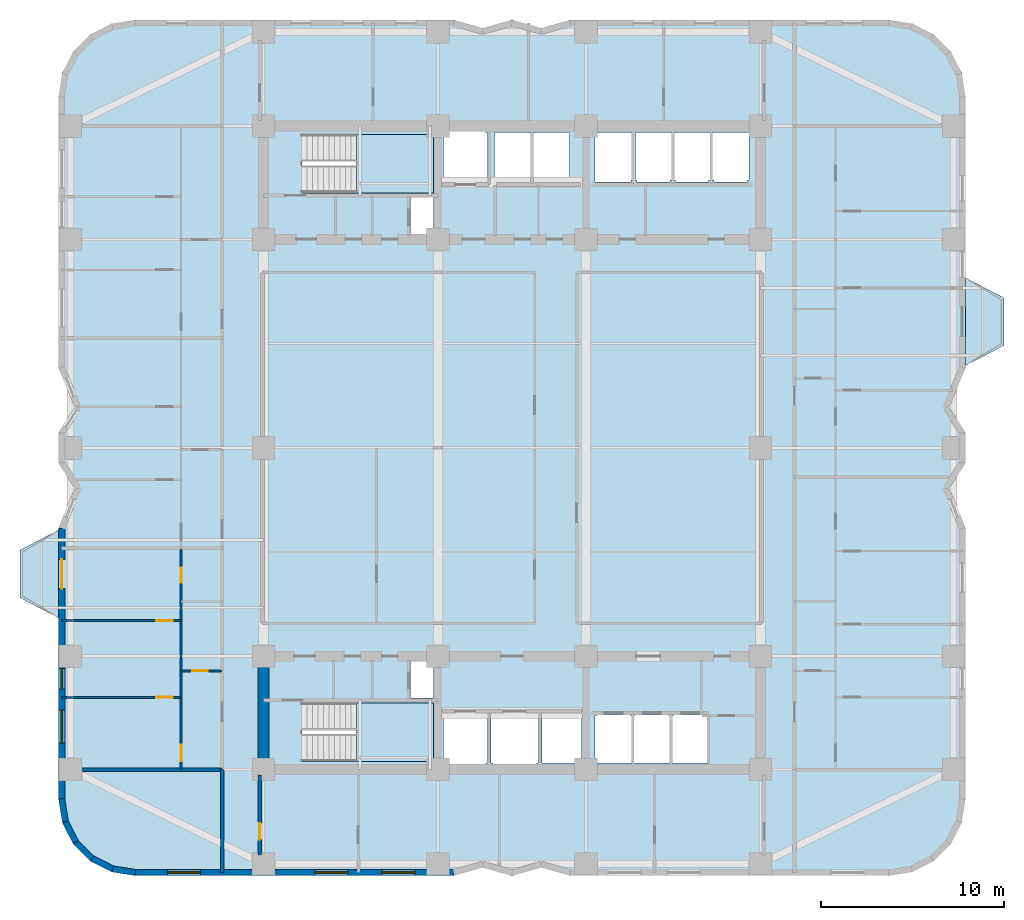
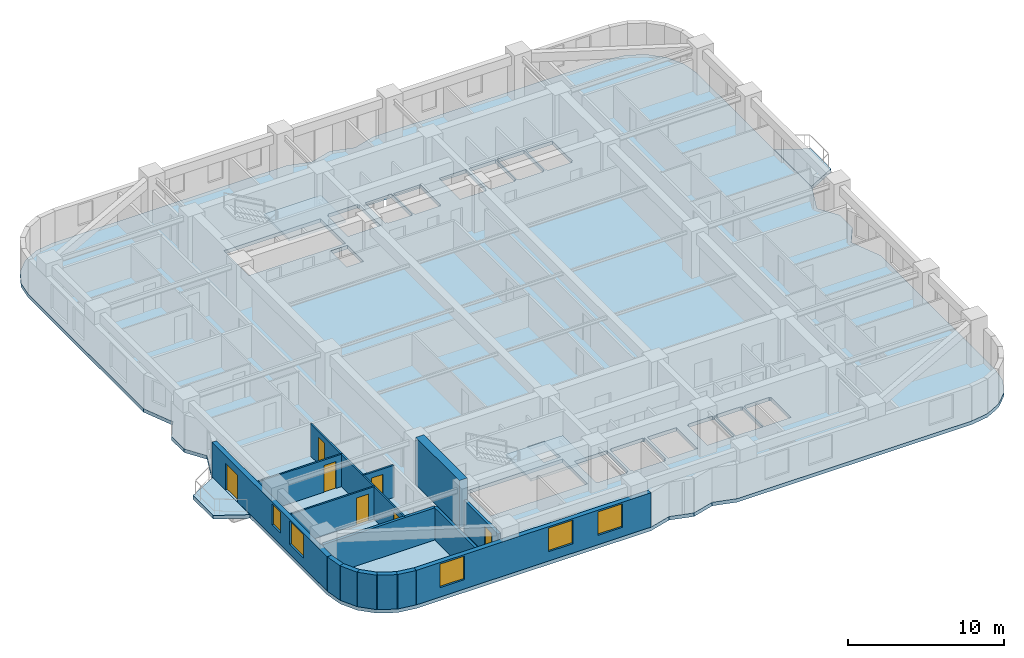
# One storey, part 2 of 10: 15 walls, 7 doors, 5 slabs, 5 windows, 12 openings, 2 elements without a shape of their own.
"""IFC4 building model written with IfcOpenShell, lengths in metres."""

from ifc_helpers import new_model, si_unit, direction, frame, frame_2d, origin, place, context, subcontext, project, spatial, polyline, rectangle, outline, extrude, material, layer, layer_set, type_object, element, fill, aggregate, save


model = new_model("IFC4")

# Units and contexts
model_context = context("Model", 3, precision=1e-05, world=origin(), true_north=direction((0.0, 1.0)))
body_context = subcontext(model_context, "Body", "Model", "MODEL_VIEW")
ifc_project = project(units=[si_unit("LENGTHUNIT", "METRE"), si_unit("AREAUNIT", "SQUARE_METRE"), si_unit("VOLUMEUNIT", "CUBIC_METRE"), si_unit("PLANEANGLEUNIT", "RADIAN"), si_unit("MASSUNIT", "GRAM", prefix="KILO")], contexts=[model_context])

# Site, building, storey
site_placement = place(None, origin())
site = spatial("IfcSite", under=ifc_project, at=site_placement, CompositionType="ELEMENT")
building_placement = place(site_placement, origin())
building = spatial("IfcBuilding", under=site, at=building_placement, Name="Svetorya Sky Lyceum", CompositionType="ELEMENT")
storey_placement = place(building_placement, frame((0.0, 0.0, 43.60009765625)))
storey = spatial("IfcBuildingStorey", under=building, at=storey_placement, Name="L10", CompositionType="ELEMENT", Elevation=43.60009765625)

# Slabs
ifc_material_1 = material(Name="Concrete C40/50", Category="concrete")
ifc_layer_1 = layer(ifc_material_1, 0.280029296875)
ifc_layer_set_1 = layer_set([ifc_layer_1], Name="Concrete C40/50")
slab_type_1 = type_object("IfcSlabType", Name="SL-BAL-280", PredefinedType="FLOOR", material=ifc_layer_set_1)
slab_1_placement = place(storey_placement, frame((0.0, 0.0, -0.280029296875)))
element("IfcSlab", 1, at=slab_1_placement, inside=storey, type_object=slab_type_1, Name="L10 Chamfered Loggia Balcony BAL-W1", PredefinedType="FLOOR", context=body_context, shape_type="SweptSolid", body=[
    extrude(outline(polyline([(14.389892578125, 18.89990234375), (14.389892578125, 23.699951171875), (12.2900390625, 22.60009765625), (12.2900390625, 20.0), (14.389892578125, 18.89990234375)])), origin(), (0.0, 0.0, 1.0), 0.280029296875),
])
slab_2_placement = place(storey_placement, frame((0.0, 0.0, -0.280029296875)))
element("IfcSlab", 2, at=slab_2_placement, inside=storey, type_object=slab_type_1, Name="L10 Chamfered Loggia Balcony BAL-E1", PredefinedType="FLOOR", context=body_context, shape_type="SweptSolid", body=[
    extrude(outline(polyline([(64.010009765625, 32.699951171875), (66.110107421875, 33.800048828125), (66.110107421875, 36.39990234375), (64.010009765625, 37.5), (64.010009765625, 32.699951171875)])), origin(), (0.0, 0.0, 1.0), 0.280029296875),
])

# Stair, slab
stair_type_1 = type_object("IfcStairType", Name="STR-ST-S", PredefinedType="HALF_TURN_STAIR", material=ifc_material_1)
stair_1_placement = place(storey_placement, origin())
stair_1 = element("IfcStair", 3, at=stair_1_placement, inside=storey, type_object=stair_type_1, Name="L10 South Core Smoke-Free Exit Stair N2", PredefinedType="HALF_TURN_STAIR")
ifc_layer_2 = layer(ifc_material_1, 0.199951171875)
ifc_layer_set_2 = layer_set([ifc_layer_2], Name="Concrete C40/50")
slab_type_2 = type_object("IfcSlabType", Name="SL-STR-LAND-200", PredefinedType="LANDING", material=ifc_layer_set_2)
slab_3_placement = place(storey_placement, frame((0.0, 0.0, 1.64990234375)))
slab_3 = element("IfcSlab", 4, at=slab_3_placement, type_object=slab_type_2, Name="ST-S landing 1", PredefinedType="LANDING", context=body_context, shape_type="SweptSolid", body=[
    extrude(outline(polyline([(30.699951171875, 11.050048828125), (34.89990234375, 11.050048828125), (34.89990234375, 14.25), (30.699951171875, 14.25), (30.699951171875, 11.050048828125)])), origin(), (0.0, 0.0, 1.0), 0.199951171875),
])
aggregate(stair_1, [slab_3])

stair_type_2 = type_object("IfcStairType", Name="STR-ST-N", PredefinedType="HALF_TURN_STAIR", material=ifc_material_1)
stair_2_placement = place(storey_placement, origin())
stair_2 = element("IfcStair", 5, at=stair_2_placement, inside=storey, type_object=stair_type_2, Name="L10 North Core Smoke-Free Exit Stair N3", PredefinedType="HALF_TURN_STAIR")
slab_4_placement = place(storey_placement, frame((0.0, 0.0, 1.64990234375)))
slab_4 = element("IfcSlab", 6, at=slab_4_placement, type_object=slab_type_2, Name="ST-N landing 1", PredefinedType="LANDING", context=body_context, shape_type="SweptSolid", body=[
    extrude(outline(polyline([(30.699951171875, 42.14990234375), (34.89990234375, 42.14990234375), (34.89990234375, 45.35009765625), (30.699951171875, 45.35009765625), (30.699951171875, 42.14990234375)])), origin(), (0.0, 0.0, 1.0), 0.199951171875),
])
aggregate(stair_2, [slab_4])

# Slab
ifc_material_2 = material(Name="Concrete C50/60", Category="concrete")
ifc_layer_3 = layer(ifc_material_2, 0.280029296875)
ifc_layer_set_3 = layer_set([ifc_layer_3], Name="Concrete C50/60")
slab_type_3 = type_object("IfcSlabType", Name="SL-TWR-280", PredefinedType="FLOOR", material=ifc_layer_set_3)
slab_5_placement = place(storey_placement, frame((0.0, 0.0, -0.280029296875)))
element("IfcSlab", 7, at=slab_5_placement, inside=storey, type_object=slab_type_3, Name="L10 Structural Floor Slab", PredefinedType="FLOOR", context=body_context, shape_type="SweptSolid", body=[
    extrude(outline(polyline([(14.39990234375, 9.0), (14.605712890625, 7.7021484375), (15.2021484375, 6.53125), (16.13134765625, 5.60205078125), (17.302001953125, 5.005615234375), (18.60009765625, 4.800048828125), (36.0, 4.800048828125), (37.60009765625, 5.25), (39.199951171875, 4.800048828125), (40.800048828125, 5.25), (42.39990234375, 4.800048828125), (59.800048828125, 4.800048828125), (61.097900390625, 5.005615234375), (62.268798828125, 5.60205078125), (63.197998046875, 6.53125), (63.79443359375, 7.7021484375), (64.0, 9.0), (64.0, 23.800048828125), (63.10009765625, 26.0), (64.0, 27.39990234375), (64.0, 29.0), (63.10009765625, 30.39990234375), (64.0, 32.60009765625), (64.0, 47.39990234375), (63.79443359375, 48.697998046875), (63.197998046875, 49.86865234375), (62.268798828125, 50.7978515625), (61.097900390625, 51.394287109375), (59.800048828125, 51.60009765625), (42.39990234375, 51.60009765625), (40.800048828125, 51.14990234375), (39.199951171875, 51.60009765625), (37.60009765625, 51.14990234375), (36.0, 51.60009765625), (18.60009765625, 51.60009765625), (17.302001953125, 51.394287109375), (16.13134765625, 50.7978515625), (15.2021484375, 49.86865234375), (14.605712890625, 48.697998046875), (14.39990234375, 47.39990234375), (14.39990234375, 32.60009765625), (15.300048828125, 30.39990234375), (14.39990234375, 29.0), (14.39990234375, 27.39990234375), (15.300048828125, 26.0), (14.39990234375, 23.800048828125), (14.39990234375, 9.0)]), holes=[polyline([(35.550048828125, 13.64990234375), (37.75, 13.64990234375), (37.85009765625, 13.64990234375), (37.85009765625, 10.949951171875), (37.75, 10.949951171875), (37.75, 10.85009765625), (35.550048828125, 10.85009765625), (35.550048828125, 10.949951171875), (35.449951171875, 10.949951171875), (35.449951171875, 13.64990234375), (35.550048828125, 13.64990234375)]), polyline([(40.64990234375, 10.949951171875), (40.550048828125, 10.949951171875), (40.550048828125, 10.800048828125), (38.14990234375, 10.800048828125), (38.14990234375, 10.949951171875), (38.050048828125, 10.949951171875), (38.050048828125, 13.64990234375), (38.14990234375, 13.64990234375), (38.14990234375, 13.699951171875), (40.550048828125, 13.699951171875), (40.550048828125, 13.64990234375), (40.64990234375, 13.64990234375), (40.64990234375, 10.949951171875)]), polyline([(40.85009765625, 13.64990234375), (43.0, 13.64990234375), (43.0, 10.949951171875), (40.85009765625, 10.949951171875), (40.85009765625, 13.64990234375)]), polyline([(27.719970703125, 14.25), (34.89990234375, 14.25), (34.89990234375, 11.050048828125), (27.719970703125, 11.050048828125), (27.719970703125, 14.25)]), polyline([(33.64990234375, 16.580078125), (34.89990234375, 16.580078125), (34.89990234375, 14.52001953125), (33.64990234375, 14.52001953125), (33.64990234375, 16.580078125)]), polyline([(33.64990234375, 39.820068359375), (33.64990234375, 41.89990234375), (34.89990234375, 41.89990234375), (34.89990234375, 39.820068359375), (33.64990234375, 39.820068359375)]), polyline([(27.719970703125, 45.35009765625), (34.89990234375, 45.35009765625), (34.89990234375, 42.14990234375), (27.719970703125, 42.14990234375), (27.719970703125, 45.35009765625)]), polyline([(35.550048828125, 42.75), (35.449951171875, 42.75), (35.449951171875, 45.449951171875), (35.550048828125, 45.449951171875), (35.550048828125, 45.550048828125), (37.75, 45.550048828125), (37.75, 45.449951171875), (37.85009765625, 45.449951171875), (37.85009765625, 42.75), (37.75, 42.75), (35.550048828125, 42.75)]), polyline([(40.199951171875, 42.85009765625), (40.199951171875, 42.75), (38.39990234375, 42.75), (38.39990234375, 42.85009765625), (38.25, 42.85009765625), (38.25, 45.449951171875), (38.39990234375, 45.449951171875), (40.199951171875, 45.449951171875), (40.25, 45.449951171875), (40.25, 42.85009765625), (40.199951171875, 42.85009765625)]), polyline([(40.39990234375, 42.85009765625), (40.35009765625, 42.85009765625), (40.35009765625, 45.449951171875), (40.39990234375, 45.449951171875), (42.300048828125, 45.449951171875), (42.35009765625, 45.449951171875), (42.35009765625, 42.85009765625), (42.300048828125, 42.85009765625), (42.300048828125, 42.75), (40.39990234375, 42.75), (40.39990234375, 42.85009765625)]), polyline([(43.85009765625, 10.949951171875), (43.75, 10.949951171875), (43.75, 13.550048828125), (43.85009765625, 13.550048828125), (43.85009765625, 13.60009765625), (45.64990234375, 13.60009765625), (45.64990234375, 13.550048828125), (45.75, 13.550048828125), (45.75, 10.949951171875), (45.64990234375, 10.949951171875), (43.85009765625, 10.949951171875)]), polyline([(45.949951171875, 10.949951171875), (45.85009765625, 10.949951171875), (45.85009765625, 13.550048828125), (45.949951171875, 13.550048828125), (45.949951171875, 13.60009765625), (47.75, 13.60009765625), (47.75, 13.550048828125), (47.85009765625, 13.550048828125), (47.85009765625, 10.949951171875), (47.75, 10.949951171875), (45.949951171875, 10.949951171875)]), polyline([(49.85009765625, 13.550048828125), (49.949951171875, 13.550048828125), (49.949951171875, 10.949951171875), (49.85009765625, 10.949951171875), (48.050048828125, 10.949951171875), (47.949951171875, 10.949951171875), (47.949951171875, 13.550048828125), (48.050048828125, 13.550048828125), (48.050048828125, 13.60009765625), (49.85009765625, 13.60009765625), (49.85009765625, 13.550048828125)]), polyline([(43.75, 42.85009765625), (43.75, 45.449951171875), (45.699951171875, 45.449951171875), (45.75, 45.449951171875), (45.75, 42.85009765625), (45.699951171875, 42.85009765625), (45.699951171875, 42.75), (43.75, 42.75), (43.75, 42.85009765625)]), polyline([(46.050048828125, 42.85009765625), (45.949951171875, 42.85009765625), (45.949951171875, 45.449951171875), (46.050048828125, 45.449951171875), (47.85009765625, 45.449951171875), (47.949951171875, 45.449951171875), (47.949951171875, 42.85009765625), (47.85009765625, 42.85009765625), (47.85009765625, 42.75), (46.050048828125, 42.75), (46.050048828125, 42.85009765625)]), polyline([(48.14990234375, 42.85009765625), (48.050048828125, 42.85009765625), (48.050048828125, 45.449951171875), (48.14990234375, 45.449951171875), (49.949951171875, 45.449951171875), (50.050048828125, 45.449951171875), (50.050048828125, 42.85009765625), (49.949951171875, 42.85009765625), (49.949951171875, 42.75), (48.14990234375, 42.75), (48.14990234375, 42.85009765625)]), polyline([(50.25, 42.85009765625), (50.14990234375, 42.85009765625), (50.14990234375, 45.449951171875), (50.25, 45.449951171875), (52.050048828125, 45.449951171875), (52.14990234375, 45.449951171875), (52.14990234375, 42.85009765625), (52.050048828125, 42.85009765625), (52.050048828125, 42.75), (50.25, 42.75), (50.25, 42.85009765625)])]), origin(), (0.0, 0.0, 1.0), 0.280029296875),
])

# Walls
ifc_material_3 = material(Name="Concrete C60/75", Category="concrete")
ifc_layer_4 = layer(ifc_material_3, 0.60009765625)
ifc_layer_set_4 = layer_set([ifc_layer_4], Name="Concrete C60/75")
wall_type_1 = type_object("IfcWallType", Name="WL-CORE-600", PredefinedType="SHEAR", material=ifc_layer_set_4)
wall_1_placement = place(storey_placement, frame((25.60009765625, 10.89990234375, 0.0), z_axis=(0.0, 0.0, 1.0), x_axis=(0.0, 1.0, 0.0)))
element("IfcWall", 8, at=wall_1_placement, inside=storey, type_object=wall_type_1, Name="L10 SC West Core Shear Wall", PredefinedType="SHEAR", context=body_context, shape_type="SweptSolid", body=[
    extrude(rectangle(XDim=5.60009765625, YDim=0.60009765625, at=frame_2d((2.800048828125, 0.0))), origin(), (0.0, 0.0, 1.0), 3.699951171875),
])
ifc_material_4 = material(Name="Putilovo limestone rainscreen on autoclaved cellular masonry", Category="masonry")
ifc_layer_5 = layer(ifc_material_4, 0.340087890625)
ifc_layer_set_5 = layer_set([ifc_layer_5], Name="Putilovo limestone rainscreen on autoclaved cellular masonry")
wall_type_2 = type_object("IfcWallType", Name="WL-EXT-340", PredefinedType="SOLIDWALL", material=ifc_layer_set_5)
wall_2_placement = place(storey_placement, frame((14.570068359375, 9.0, 0.0), z_axis=(0.0, 0.0, 1.0), x_axis=(0.156260864002, -0.98771582066, 0.0)))
element("IfcWall", 9, at=wall_2_placement, inside=storey, type_object=wall_type_2, Name="L10 Limestone Exterior Wall 1M", PredefinedType="SOLIDWALL", context=body_context, shape_type="SweptSolid", body=[
    extrude(rectangle(XDim=1.2607421875, YDim=0.340087890625, at=frame_2d((0.63037109375, 0.0))), origin(), (0.0, 0.0, 1.0), 2.699951171875),
])
wall_3_placement = place(storey_placement, frame((14.76708984375, 7.754638671875, 0.0), z_axis=(0.0, 0.0, 1.0), x_axis=(0.454015689056, -0.890993689142, 0.0)))
element("IfcWall", 10, at=wall_3_placement, inside=storey, type_object=wall_type_2, Name="L10 Limestone Exterior Wall 2M", PredefinedType="SOLIDWALL", context=body_context, shape_type="SweptSolid", body=[
    extrude(rectangle(XDim=1.260986328125, YDim=0.340087890625, at=frame_2d((0.63037109375, 0.0))), origin(), (0.0, 0.0, 1.0), 2.699951171875),
])
wall_4_placement = place(storey_placement, frame((15.339599609375, 6.631103515625, 0.0), z_axis=(0.0, 0.0, 1.0), x_axis=(0.707203598708, -0.707009950407, 0.0)))
element("IfcWall", 11, at=wall_4_placement, inside=storey, type_object=wall_type_2, Name="L10 Limestone Exterior Wall 3M", PredefinedType="SOLIDWALL", context=body_context, shape_type="SweptSolid", body=[
    extrude(rectangle(XDim=1.2607421875, YDim=0.340087890625, at=frame_2d((0.63037109375, 0.0))), origin(), (0.0, 0.0, 1.0), 2.699951171875),
])
for number, where, z_axis, x_axis, name in (
    (12, (16.231201171875, 5.73974609375, 0.0), (0.0, 0.0, 1.0), (0.890993689142, -0.454015689056, 0.0), "L10 Limestone Exterior Wall 4M"),
    (13, (17.354736328125, 5.167236328125, 0.0), (0.0, 0.0, 1.0), (0.987685918112, -0.15644975923, 0.0), "L10 Limestone Exterior Wall 5M"),
):
    element("IfcWall", number, at=place(storey_placement, frame(where, z_axis=z_axis, x_axis=x_axis)), inside=storey, type_object=wall_type_2, Name=name, PredefinedType="SOLIDWALL", context=body_context, shape_type="SweptSolid", body=[
        extrude(rectangle(XDim=1.260986328125, YDim=0.340087890625, at=frame_2d((0.63037109375, 0.0))), origin(), (0.0, 0.0, 1.0), 2.699951171875),
    ])

# Wall, openings, windows
wall_5_placement = place(storey_placement, frame((18.60009765625, 4.969970703125, 0.0), z_axis=(0.0, 0.0, 1.0), x_axis=(1.0, 0.0, 0.0)))
wall_5 = element("IfcWall", 14, at=wall_5_placement, inside=storey, type_object=wall_type_2, Name="L10 Limestone Exterior Wall 6M", PredefinedType="SOLIDWALL", context=body_context, shape_type="SweptSolid", body=[
    extrude(rectangle(XDim=17.39990234375, YDim=0.340087890625, at=frame_2d((8.699951171875, 0.0))), origin(), (0.0, 0.0, 1.0), 2.699951171875),
])
opening_1_placement = place(wall_5_placement, frame((1.762451171875, 0.0, 0.72998046875)))
opening_1 = element("IfcOpeningElement", 15, at=opening_1_placement, cuts=wall_5, Name="Opening W-R1", PredefinedType="OPENING", context=body_context, shape_type="SweptSolid", body=[
    extrude(rectangle(XDim=1.800048828125, YDim=1.85009765625, at=frame_2d((0.89990234375, 0.925048828125))), frame((0.0, 0.179931640625, 0.0), z_axis=(0.0, -1.0, 0.0), x_axis=(1.0, 0.0, 0.0)), (0.0, 0.0, 1.0), 0.360107421875),
])
opening_2_placement = place(wall_5_placement, frame((9.8125, 0.0, 0.72998046875)))
opening_2 = element("IfcOpeningElement", 16, at=opening_2_placement, cuts=wall_5, Name="Opening W-R1", PredefinedType="OPENING", context=body_context, shape_type="SweptSolid", body=[
    extrude(rectangle(XDim=1.800048828125, YDim=1.85009765625, at=frame_2d((0.89990234375, 0.925048828125))), frame((0.0, 0.179931640625, 0.0), z_axis=(0.0, -1.0, 0.0), x_axis=(1.0, 0.0, 0.0)), (0.0, 0.0, 1.0), 0.360107421875),
])
opening_3_placement = place(wall_5_placement, frame((13.487548828125, 0.0, 0.72998046875)))
opening_3 = element("IfcOpeningElement", 17, at=opening_3_placement, cuts=wall_5, Name="Opening W-R1", PredefinedType="OPENING", context=body_context, shape_type="SweptSolid", body=[
    extrude(rectangle(XDim=1.800048828125, YDim=1.85009765625, at=frame_2d((0.89990234375, 0.925048828125))), frame((0.0, 0.179931640625, 0.0), z_axis=(0.0, -1.0, 0.0), x_axis=(1.0, 0.0, 0.0)), (0.0, 0.0, 1.0), 0.360107421875),
])
ifc_material_5 = material(Name="Thermally broken aluminium frame with triple low-E glazing", Category="aluminium")
window_type_1 = type_object("IfcWindowType", Name="WN-RES-180", PartitioningType="DOUBLE_PANEL_VERTICAL", PredefinedType="WINDOW", material=ifc_material_5)
window_1_placement = place(opening_1_placement, origin())
window_1 = element("IfcWindow", 18, at=window_1_placement, inside=storey, type_object=window_type_1, Name="L10 Facade Window W-R1.6M.1", OverallHeight=1.85009765625, OverallWidth=1.800048828125, PartitioningType="SINGLE_PANEL", PredefinedType="WINDOW", context=body_context, shape_type="SweptSolid", body=[
    extrude(rectangle(XDim=1.800048828125, YDim=1.85009765625, at=frame_2d((0.89990234375, 0.925048828125))), frame((0.0, 0.030029296875, 0.0), z_axis=(0.0, -1.0, 0.0), x_axis=(1.0, 0.0, 0.0)), (0.0, 0.0, 1.0), 0.06005859375),
])
fill(opening_1, window_1)
window_2_placement = place(opening_2_placement, origin())
window_2 = element("IfcWindow", 19, at=window_2_placement, inside=storey, type_object=window_type_1, Name="L10 Facade Window W-R1.6M.2", OverallHeight=1.85009765625, OverallWidth=1.800048828125, PartitioningType="SINGLE_PANEL", PredefinedType="WINDOW", context=body_context, shape_type="SweptSolid", body=[
    extrude(rectangle(XDim=1.800048828125, YDim=1.85009765625, at=frame_2d((0.89990234375, 0.925048828125))), frame((0.0, 0.030029296875, 0.0), z_axis=(0.0, -1.0, 0.0), x_axis=(1.0, 0.0, 0.0)), (0.0, 0.0, 1.0), 0.06005859375),
])
fill(opening_2, window_2)
window_3_placement = place(opening_3_placement, origin())
window_3 = element("IfcWindow", 20, at=window_3_placement, inside=storey, type_object=window_type_1, Name="L10 Facade Window W-R1.6M.3", OverallHeight=1.85009765625, OverallWidth=1.800048828125, PartitioningType="SINGLE_PANEL", PredefinedType="WINDOW", context=body_context, shape_type="SweptSolid", body=[
    extrude(rectangle(XDim=1.800048828125, YDim=1.85009765625, at=frame_2d((0.89990234375, 0.925048828125))), frame((0.0, 0.030029296875, 0.0), z_axis=(0.0, -1.0, 0.0), x_axis=(1.0, 0.0, 0.0)), (0.0, 0.0, 1.0), 0.06005859375),
])
fill(opening_3, window_3)

# Wall, openings, door, windows
wall_6_placement = place(storey_placement, frame((14.570068359375, 23.800048828125, 0.0), z_axis=(0.0, 0.0, 1.0), x_axis=(0.0, -1.0, 0.0)))
wall_6 = element("IfcWall", 21, at=wall_6_placement, inside=storey, type_object=wall_type_2, Name="L10 Limestone Exterior Wall 46M", PredefinedType="SOLIDWALL", context=body_context, shape_type="SweptSolid", body=[
    extrude(rectangle(XDim=14.800048828125, YDim=0.340087890625, at=frame_2d((7.39990234375, 0.0))), origin(), (0.0, 0.0, 1.0), 2.699951171875),
])
opening_4_placement = place(wall_6_placement, frame((1.699951171875, 0.0, 0.0)))
opening_4 = element("IfcOpeningElement", 22, at=opening_4_placement, cuts=wall_6, Name="Opening D-BL1", PredefinedType="OPENING", context=body_context, shape_type="SweptSolid", body=[
    extrude(rectangle(XDim=1.60009765625, YDim=2.10009765625, at=frame_2d((0.800048828125, 1.050048828125))), frame((0.0, 0.179931640625, 0.0), z_axis=(0.0, -1.0, 0.0), x_axis=(1.0, 0.0, 0.0)), (0.0, 0.0, 1.0), 0.360107421875),
])
opening_5_placement = place(wall_6_placement, frame((7.679931640625, 0.0, 0.889892578125)))
opening_5 = element("IfcOpeningElement", 23, at=opening_5_placement, cuts=wall_6, Name="Opening W-R3", PredefinedType="OPENING", context=body_context, shape_type="SweptSolid", body=[
    extrude(rectangle(XDim=1.10009765625, YDim=1.64990234375, at=frame_2d((0.550048828125, 0.824951171875))), frame((0.0, 0.179931640625, 0.0), z_axis=(0.0, -1.0, 0.0), x_axis=(1.0, 0.0, 0.0)), (0.0, 0.0, 1.0), 0.360107421875),
])
opening_6_placement = place(wall_6_placement, frame((9.949951171875, 0.0, 0.72998046875)))
opening_6 = element("IfcOpeningElement", 24, at=opening_6_placement, cuts=wall_6, Name="Opening W-R1", PredefinedType="OPENING", context=body_context, shape_type="SweptSolid", body=[
    extrude(rectangle(XDim=1.800048828125, YDim=1.85009765625, at=frame_2d((0.89990234375, 0.925048828125))), frame((0.0, 0.179931640625, 0.0), z_axis=(0.0, -1.0, 0.0), x_axis=(1.0, 0.0, 0.0)), (0.0, 0.0, 1.0), 0.360107421875),
])
ifc_material_6 = material(Name="Insulated glazed aluminium balcony door", Category="aluminium")
door_type_1 = type_object("IfcDoorType", Name="DR-BAL-1600", OperationType="DOUBLE_DOOR_SINGLE_SWING", PredefinedType="DOOR", material=ifc_material_6)
door_1_placement = place(opening_4_placement, origin())
door_1 = element("IfcDoor", 25, at=door_1_placement, inside=storey, type_object=door_type_1, Name="L10 Balcony BAL-W1 Door", OperationType="DOUBLE_DOOR_SINGLE_SWING", OverallHeight=2.10009765625, OverallWidth=1.60009765625, PredefinedType="DOOR", context=body_context, shape_type="SweptSolid", body=[
    extrude(rectangle(XDim=1.60009765625, YDim=2.10009765625, at=frame_2d((0.800048828125, 1.050048828125))), frame((0.0, 0.02490234375, 0.0), z_axis=(0.0, -1.0, 0.0), x_axis=(1.0, 0.0, 0.0)), (0.0, 0.0, 1.0), 0.050048828125),
])
fill(opening_4, door_1)
window_type_2 = type_object("IfcWindowType", Name="WN-RES-110", PartitioningType="SINGLE_PANEL", PredefinedType="WINDOW", material=ifc_material_5)
window_4_placement = place(opening_5_placement, origin())
window_4 = element("IfcWindow", 26, at=window_4_placement, inside=storey, type_object=window_type_2, Name="L10 Facade Window W-R3.46M.2", OverallHeight=1.64990234375, OverallWidth=1.10009765625, PartitioningType="SINGLE_PANEL", PredefinedType="WINDOW", context=body_context, shape_type="SweptSolid", body=[
    extrude(rectangle(XDim=1.10009765625, YDim=1.64990234375, at=frame_2d((0.550048828125, 0.824951171875))), frame((0.0, 0.030029296875, 0.0), z_axis=(0.0, -1.0, 0.0), x_axis=(1.0, 0.0, 0.0)), (0.0, 0.0, 1.0), 0.06005859375),
])
fill(opening_5, window_4)
window_5_placement = place(opening_6_placement, origin())
window_5 = element("IfcWindow", 27, at=window_5_placement, inside=storey, type_object=window_type_1, Name="L10 Facade Window W-R1.46M.1", OverallHeight=1.85009765625, OverallWidth=1.800048828125, PartitioningType="SINGLE_PANEL", PredefinedType="WINDOW", context=body_context, shape_type="SweptSolid", body=[
    extrude(rectangle(XDim=1.800048828125, YDim=1.85009765625, at=frame_2d((0.89990234375, 0.925048828125))), frame((0.0, 0.030029296875, 0.0), z_axis=(0.0, -1.0, 0.0), x_axis=(1.0, 0.0, 0.0)), (0.0, 0.0, 1.0), 0.06005859375),
])
fill(opening_6, window_5)

# Wall, opening, door
ifc_material_7 = material(Name="Twin-stud galvanized framing with double fireboard", Category="gypsum")
ifc_layer_6 = layer(ifc_material_7, 0.1201171875)
ifc_layer_set_6 = layer_set([ifc_layer_6], Name="Twin-stud galvanized framing with double fireboard")
wall_type_3 = type_object("IfcWallType", Name="WL-PART-120", PredefinedType="PARTITIONING", material=ifc_layer_set_6)
wall_7_placement = place(storey_placement, frame((21.10009765625, 16.0, 0.0), z_axis=(0.0, 0.0, 1.0), x_axis=(1.0, 0.0, 0.0)))
wall_7 = element("IfcWall", 28, at=wall_7_placement, inside=storey, type_object=wall_type_3, Name="L10 Interior Partition W1-WH1", PredefinedType="PARTITIONING", context=body_context, shape_type="SweptSolid", body=[
    extrude(rectangle(XDim=2.25, YDim=0.1201171875, at=frame_2d((1.125, 0.0))), origin(), (0.0, 0.0, 1.0), 2.52978515625),
])
opening_7_placement = place(wall_7_placement, frame((0.60009765625, 0.0, 0.0)))
opening_7 = element("IfcOpeningElement", 29, at=opening_7_placement, cuts=wall_7, Name="Opening D-BT1", PredefinedType="OPENING", context=body_context, shape_type="SweptSolid", body=[
    extrude(rectangle(XDim=0.85009765625, YDim=2.10009765625, at=frame_2d((0.425048828125, 1.050048828125))), frame((0.0, 0.070068359375, 0.0), z_axis=(0.0, -1.0, 0.0), x_axis=(1.0, 0.0, 0.0)), (0.0, 0.0, 1.0), 0.14013671875),
])
ifc_material_8 = material(Name="Moisture-resistant laminate bathroom door")
door_type_2 = type_object("IfcDoorType", Name="DR-WET-850", OperationType="SINGLE_SWING_LEFT", PredefinedType="DOOR", material=ifc_material_8)
door_2_placement = place(opening_7_placement, origin())
door_2 = element("IfcDoor", 30, at=door_2_placement, inside=storey, type_object=door_type_2, Name="Apartment W1 Bathroom Door", OperationType="SINGLE_SWING_LEFT", OverallHeight=2.10009765625, OverallWidth=0.85009765625, PredefinedType="DOOR", context=body_context, shape_type="SweptSolid", body=[
    extrude(rectangle(XDim=0.85009765625, YDim=2.10009765625, at=frame_2d((0.425048828125, 1.050048828125))), frame((0.0, 0.02490234375, 0.0), z_axis=(0.0, -1.0, 0.0), x_axis=(1.0, 0.0, 0.0)), (0.0, 0.0, 1.0), 0.050048828125),
])
fill(opening_7, door_2)

wall_8_placement = place(storey_placement, frame((14.570068359375, 14.550048828125, 0.0), z_axis=(0.0, 0.0, 1.0), x_axis=(1.0, 0.0, 0.0)))
wall_8 = element("IfcWall", 31, at=wall_8_placement, inside=storey, type_object=wall_type_3, Name="L10 Interior Partition W1-WL1", PredefinedType="PARTITIONING", context=body_context, shape_type="SweptSolid", body=[
    extrude(rectangle(XDim=6.530029296875, YDim=0.1201171875, at=frame_2d((3.26513671875, 0.0))), origin(), (0.0, 0.0, 1.0), 2.52978515625),
])
opening_8_placement = place(wall_8_placement, frame((5.179931640625, 0.0, 0.0)))
opening_8 = element("IfcOpeningElement", 32, at=opening_8_placement, cuts=wall_8, Name="Opening D-RM1", PredefinedType="OPENING", context=body_context, shape_type="SweptSolid", body=[
    extrude(rectangle(XDim=0.89990234375, YDim=2.10009765625, at=frame_2d((0.449951171875, 1.050048828125))), frame((0.0, 0.070068359375, 0.0), z_axis=(0.0, -1.0, 0.0), x_axis=(1.0, 0.0, 0.0)), (0.0, 0.0, 1.0), 0.14013671875),
])
ifc_material_9 = material(Name="Lacquered birch veneer internal door")
door_type_3 = type_object("IfcDoorType", Name="DR-INT-900", OperationType="SINGLE_SWING_LEFT", PredefinedType="DOOR", material=ifc_material_9)
door_3_placement = place(opening_8_placement, origin())
door_3 = element("IfcDoor", 33, at=door_3_placement, inside=storey, type_object=door_type_3, Name="Apartment W1 Master Bedroom Door", OperationType="SINGLE_SWING_LEFT", OverallHeight=2.10009765625, OverallWidth=0.89990234375, PredefinedType="DOOR", context=body_context, shape_type="SweptSolid", body=[
    extrude(rectangle(XDim=0.89990234375, YDim=2.10009765625, at=frame_2d((0.449951171875, 1.050048828125))), frame((0.0, 0.02490234375, 0.0), z_axis=(0.0, -1.0, 0.0), x_axis=(1.0, 0.0, 0.0)), (0.0, 0.0, 1.0), 0.050048828125),
])
fill(opening_8, door_3)

wall_9_placement = place(storey_placement, frame((14.570068359375, 18.75, 0.0), z_axis=(0.0, 0.0, 1.0), x_axis=(1.0, 0.0, 0.0)))
wall_9 = element("IfcWall", 34, at=wall_9_placement, inside=storey, type_object=wall_type_3, Name="L10 Interior Partition W1-WL2", PredefinedType="PARTITIONING", context=body_context, shape_type="SweptSolid", body=[
    extrude(rectangle(XDim=6.530029296875, YDim=0.1201171875, at=frame_2d((3.26513671875, 0.0))), origin(), (0.0, 0.0, 1.0), 2.52978515625),
])
opening_9_placement = place(wall_9_placement, frame((5.179931640625, 0.0, 0.0)))
opening_9 = element("IfcOpeningElement", 35, at=opening_9_placement, cuts=wall_9, Name="Opening D-RM1", PredefinedType="OPENING", context=body_context, shape_type="SweptSolid", body=[
    extrude(rectangle(XDim=0.89990234375, YDim=2.10009765625, at=frame_2d((0.449951171875, 1.050048828125))), frame((0.0, 0.070068359375, 0.0), z_axis=(0.0, -1.0, 0.0), x_axis=(1.0, 0.0, 0.0)), (0.0, 0.0, 1.0), 0.14013671875),
])
door_4_placement = place(opening_9_placement, origin())
door_4 = element("IfcDoor", 36, at=door_4_placement, inside=storey, type_object=door_type_3, Name="Apartment W1 Bedroom 2 Door", OperationType="SINGLE_SWING_RIGHT", OverallHeight=2.10009765625, OverallWidth=0.89990234375, PredefinedType="DOOR", context=body_context, shape_type="SweptSolid", body=[
    extrude(rectangle(XDim=0.89990234375, YDim=2.10009765625, at=frame_2d((0.449951171875, 1.050048828125))), frame((0.0, 0.02490234375, 0.0), z_axis=(0.0, -1.0, 0.0), x_axis=(1.0, 0.0, 0.0)), (0.0, 0.0, 1.0), 0.050048828125),
])
fill(opening_9, door_4)

# Wall, openings, doors
wall_10_placement = place(storey_placement, frame((21.10009765625, 10.639892578125, 0.0), z_axis=(0.0, 0.0, 1.0), x_axis=(0.0, 1.0, 0.0)))
wall_10 = element("IfcWall", 37, at=wall_10_placement, inside=storey, type_object=wall_type_3, Name="L10 Interior Partition W1-WV", PredefinedType="PARTITIONING", context=body_context, shape_type="SweptSolid", body=[
    extrude(rectangle(XDim=12.02001953125, YDim=0.1201171875, at=frame_2d((6.010009765625, 0.0))), origin(), (0.0, 0.0, 1.0), 2.52978515625),
])
opening_10_placement = place(wall_10_placement, frame((0.409912109375, 0.0, 0.0)))
opening_10 = element("IfcOpeningElement", 38, at=opening_10_placement, cuts=wall_10, Name="Opening D-RM1", PredefinedType="OPENING", context=body_context, shape_type="SweptSolid", body=[
    extrude(rectangle(XDim=0.89990234375, YDim=2.10009765625, at=frame_2d((0.449951171875, 1.050048828125))), frame((0.0, 0.070068359375, 0.0), z_axis=(0.0, -1.0, 0.0), x_axis=(1.0, 0.0, 0.0)), (0.0, 0.0, 1.0), 0.14013671875),
])
opening_11_placement = place(wall_10_placement, frame((10.18505859375, 0.0, 0.0)))
opening_11 = element("IfcOpeningElement", 39, at=opening_11_placement, cuts=wall_10, Name="Opening D-BT2", PredefinedType="OPENING", context=body_context, shape_type="SweptSolid", body=[
    extrude(rectangle(XDim=0.820068359375, YDim=2.080078125, at=frame_2d((0.41015625, 1.0400390625))), frame((0.0, 0.070068359375, 0.0), z_axis=(0.0, -1.0, 0.0), x_axis=(1.0, 0.0, 0.0)), (0.0, 0.0, 1.0), 0.14013671875),
])
door_5_placement = place(opening_10_placement, origin())
door_5 = element("IfcDoor", 40, at=door_5_placement, inside=storey, type_object=door_type_3, Name="Apartment W1 Living Door", OperationType="SINGLE_SWING_RIGHT", OverallHeight=2.10009765625, OverallWidth=0.89990234375, PredefinedType="DOOR", context=body_context, shape_type="SweptSolid", body=[
    extrude(rectangle(XDim=0.89990234375, YDim=2.10009765625, at=frame_2d((0.449951171875, 1.050048828125))), frame((0.0, 0.02490234375, 0.0), z_axis=(0.0, -1.0, 0.0), x_axis=(1.0, 0.0, 0.0)), (0.0, 0.0, 1.0), 0.050048828125),
])
fill(opening_10, door_5)
ifc_material_10 = material(Name="Compact moisture-resistant laminate closet door")
door_type_4 = type_object("IfcDoorType", Name="DR-WET-820", OperationType="SINGLE_SWING_LEFT", PredefinedType="DOOR", material=ifc_material_10)
door_6_placement = place(opening_11_placement, origin())
door_6 = element("IfcDoor", 41, at=door_6_placement, inside=storey, type_object=door_type_4, Name="Apartment W1 Study Door", OperationType="SINGLE_SWING_LEFT", OverallHeight=2.080078125, OverallWidth=0.820068359375, PredefinedType="DOOR", context=body_context, shape_type="SweptSolid", body=[
    extrude(rectangle(XDim=0.820068359375, YDim=2.080078125, at=frame_2d((0.41015625, 1.0400390625))), frame((0.0, 0.02490234375, 0.0), z_axis=(0.0, -1.0, 0.0), x_axis=(1.0, 0.0, 0.0)), (0.0, 0.0, 1.0), 0.050048828125),
])
fill(opening_11, door_6)

# Walls
ifc_material_11 = material(Name="Autoclaved cellular masonry blockwork with gypsum plaster", Category="masonry")
ifc_layer_7 = layer(ifc_material_11, 0.199951171875)
ifc_layer_set_7 = layer_set([ifc_layer_7], Name="Autoclaved cellular masonry blockwork with gypsum plaster")
wall_type_4 = type_object("IfcWallType", Name="WL-PART-200", PredefinedType="PARTITIONING", material=ifc_layer_set_7)
wall_11_placement = place(storey_placement, frame((14.989990234375, 10.60009765625, 0.0), z_axis=(0.0, 0.0, 1.0), x_axis=(1.0, 0.0, 0.0)))
element("IfcWall", 42, at=wall_11_placement, inside=storey, type_object=wall_type_4, Name="L10 Interior Partition W-CAP-S", PredefinedType="PARTITIONING", context=body_context, shape_type="SweptSolid", body=[
    extrude(rectangle(XDim=8.360107421875, YDim=0.199951171875, at=frame_2d((4.18017578125, 0.0))), origin(), (0.0, 0.0, 1.0), 2.52978515625),
])
wall_12_placement = place(storey_placement, frame((23.35009765625, 4.969970703125, 0.0), z_axis=(0.0, 0.0, 1.0), x_axis=(0.0, 1.0, 0.0)))
element("IfcWall", 43, at=wall_12_placement, inside=storey, type_object=wall_type_4, Name="L10 Interior Partition WC-SW-END", PredefinedType="PARTITIONING", context=body_context, shape_type="SweptSolid", body=[
    extrude(rectangle(XDim=5.630126953125, YDim=0.199951171875, at=frame_2d((2.81494140625, 0.0))), origin(), (0.0, 0.0, 1.0), 2.52978515625),
])

# Wall, opening, door
wall_13_placement = place(storey_placement, frame((25.39990234375, 5.919921875, 0.0), z_axis=(0.0, 0.0, 1.0), x_axis=(0.0, 1.0, 0.0)))
wall_13 = element("IfcWall", 44, at=wall_13_placement, inside=storey, type_object=wall_type_4, Name="L10 Interior Partition S4-EW", PredefinedType="PARTITIONING", context=body_context, shape_type="SweptSolid", body=[
    extrude(rectangle(XDim=4.380126953125, YDim=0.199951171875, at=frame_2d((2.18994140625, 0.0))), origin(), (0.0, 0.0, 1.0), 2.52978515625),
])
opening_12_placement = place(wall_13_placement, frame((0.85009765625, 0.0, 0.0)))
opening_12 = element("IfcOpeningElement", 45, at=opening_12_placement, cuts=wall_13, Name="Opening D-RM1", PredefinedType="OPENING", context=body_context, shape_type="SweptSolid", body=[
    extrude(rectangle(XDim=0.89990234375, YDim=2.10009765625, at=frame_2d((0.449951171875, 1.050048828125))), frame((0.0, 0.10986328125, 0.0), z_axis=(0.0, -1.0, 0.0), x_axis=(1.0, 0.0, 0.0)), (0.0, 0.0, 1.0), 0.219970703125),
])
door_7_placement = place(opening_12_placement, origin())
door_7 = element("IfcDoor", 46, at=door_7_placement, inside=storey, type_object=door_type_3, Name="L10 SW Office Door", OperationType="SINGLE_SWING_LEFT", OverallHeight=2.10009765625, OverallWidth=0.89990234375, PredefinedType="DOOR", context=body_context, shape_type="SweptSolid", body=[
    extrude(rectangle(XDim=0.89990234375, YDim=2.10009765625, at=frame_2d((0.449951171875, 1.050048828125))), frame((0.0, 0.02490234375, 0.0), z_axis=(0.0, -1.0, 0.0), x_axis=(1.0, 0.0, 0.0)), (0.0, 0.0, 1.0), 0.050048828125),
])
fill(opening_12, door_7)

save(model, "model.ifc")
